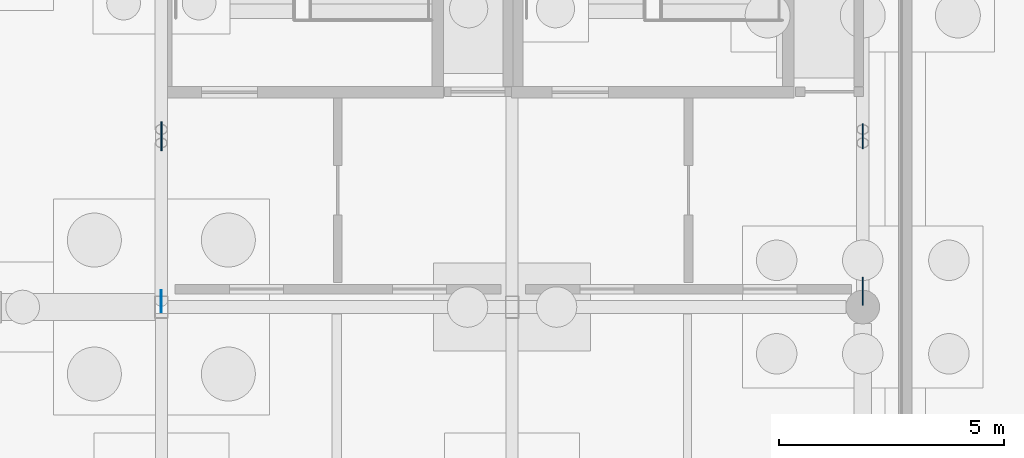
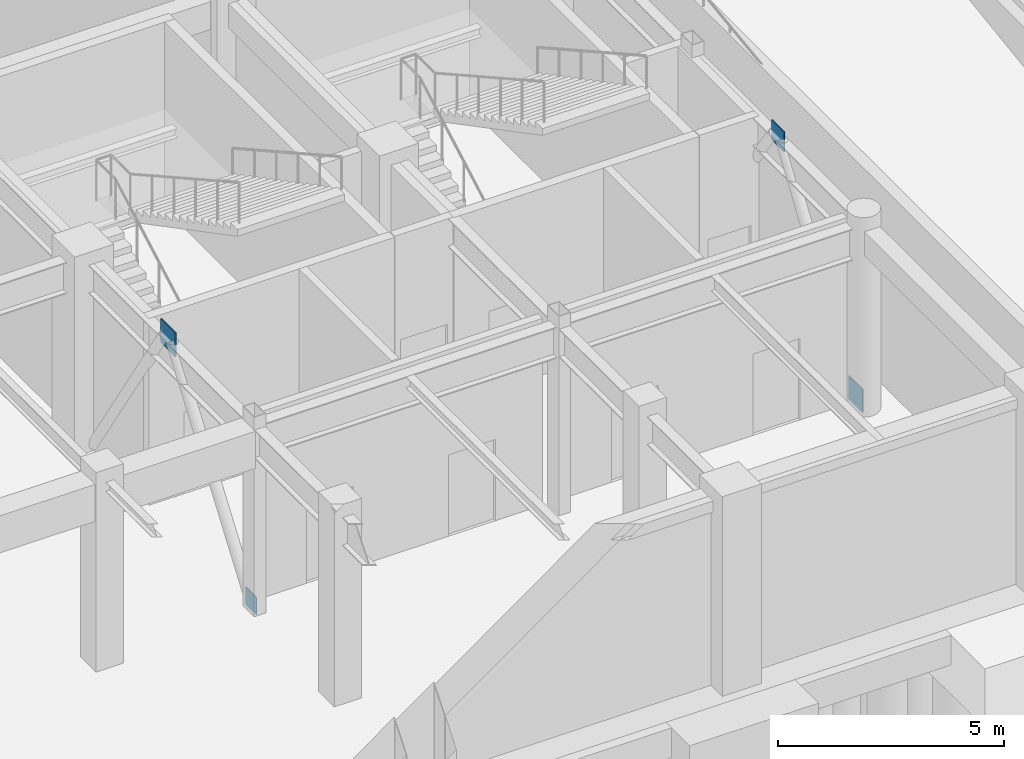
# One storey, part 38 of 52: 4 plates.
"""IFC4 building model written with IfcOpenShell, lengths in metres."""

from ifc_helpers import new_model, si_unit, direction, frame, origin, origin_2d, place, context, subcontext, project, spatial, rectangle, extrude, material, layer, layer_set, type_object, element, save


model = new_model("IFC4")

# Units and contexts
model_context = context("Model", 3, precision=1e-05, world=origin(), true_north=direction((0.0, 1.0)))
body_context = subcontext(model_context, "Body", "Model", "MODEL_VIEW")
ifc_project = project(units=[si_unit("LENGTHUNIT", "METRE"), si_unit("AREAUNIT", "SQUARE_METRE"), si_unit("VOLUMEUNIT", "CUBIC_METRE"), si_unit("PLANEANGLEUNIT", "RADIAN"), si_unit("MASSUNIT", "GRAM", prefix="KILO")], contexts=[model_context])

# Site, building, storey
site_placement = place(None, origin())
site = spatial("IfcSite", under=ifc_project, at=site_placement, CompositionType="ELEMENT")
building_placement = place(site_placement, origin())
building = spatial("IfcBuilding", under=site, at=building_placement, Name="Xicomal Pleat Aquarium", CompositionType="ELEMENT")
storey_placement = place(building_placement, frame((0.0, 0.0, -5.39990234375)))
storey = spatial("IfcBuildingStorey", under=building, at=storey_placement, Name="B1", CompositionType="ELEMENT", Elevation=-5.39990234375)

# Plates
ifc_material_1 = material(Name="Structural steel A992 Gr 50", Category="steel")
ifc_layer_1 = layer(ifc_material_1, 0.02001953125)
ifc_layer_set_1 = layer_set([ifc_layer_1], Name="Structural steel A992 Gr 50")
plate_type_1 = type_object("IfcPlateType", Name="PLT-CAP-20", PredefinedType="SHEET", material=ifc_layer_set_1)
plate_1_placement = place(storey_placement, frame((141.60009765625, 83.72998046875, -0.090087890625), z_axis=(0.0, 0.0, 1.0), x_axis=(0.0, 1.0, 0.0)))
element("IfcPlate", 1, at=plate_1_placement, inside=storey, type_object=plate_type_1, Name="B1 HSS end cap plate 26", PredefinedType="SHEET", context=body_context, shape_type="SweptSolid", body=[
    extrude(rectangle(XDim=0.47998046875, YDim=0.02001953125, at=origin_2d()), origin(), (0.0, 0.0, 1.0), 0.47998046875),
])
ifc_material_2 = material(Name="Structural steel A992 Gr 50", Category="steel")
ifc_layer_2 = layer(ifc_material_2, 0.030029296875)
ifc_layer_set_2 = layer_set([ifc_layer_2], Name="Structural steel A992 Gr 50")
plate_type_2 = type_object("IfcPlateType", Name="PLT-CAP-30", PredefinedType="SHEET", material=ifc_layer_set_2)
plate_2_placement = place(storey_placement, frame((157.199951171875, 83.955078125, -0.16015625), z_axis=(0.0, 0.0, 1.0), x_axis=(0.0, 1.0, 0.0)))
element("IfcPlate", 2, at=plate_2_placement, inside=storey, type_object=plate_type_2, Name="B1 HSS end cap plate 21", PredefinedType="SHEET", context=body_context, shape_type="SweptSolid", body=[
    extrude(rectangle(XDim=0.6201171875, YDim=0.030029296875, at=origin_2d()), origin(), (0.0, 0.0, 1.0), 0.6201171875),
])
ifc_material_3 = material(Name="Structural steel A992 Gr 50", Category="steel")
ifc_layer_3 = layer(ifc_material_3, 0.02490234375)
ifc_layer_set_3 = layer_set([ifc_layer_3], Name="Structural steel A992 Gr 50")
plate_type_3 = type_object("IfcPlateType", Name="PLT-GUS-25", PredefinedType="USERDEFINED", material=ifc_layer_set_3)
plate_3_placement = place(storey_placement, frame((157.199951171875, 87.39990234375, 4.77490234375), z_axis=(0.0, 0.0, 1.0), x_axis=(0.0, 1.0, 0.0)))
element("IfcPlate", 3, at=plate_3_placement, inside=storey, type_object=plate_type_3, Name="B1 chevron gusset node plate 21", ObjectType="GUSSET PLATE", PredefinedType="USERDEFINED", context=body_context, shape_type="SweptSolid", body=[
    extrude(rectangle(XDim=0.550048828125, YDim=0.02490234375, at=origin_2d()), origin(), (0.0, 0.0, 1.0), 0.550048828125),
])
ifc_material_4 = material(Name="Structural steel A992 Gr 50", Category="steel")
ifc_layer_4 = layer(ifc_material_4, 0.034912109375)
ifc_layer_set_4 = layer_set([ifc_layer_4], Name="Structural steel A992 Gr 50")
plate_type_4 = type_object("IfcPlateType", Name="PLT-GUS-35", PredefinedType="USERDEFINED", material=ifc_layer_set_4)
plate_4_placement = place(storey_placement, frame((141.60009765625, 87.39990234375, 4.724853515625), z_axis=(0.0, 0.0, 1.0), x_axis=(0.0, 1.0, 0.0)))
element("IfcPlate", 4, at=plate_4_placement, inside=storey, type_object=plate_type_4, Name="B1 chevron gusset node plate 26", ObjectType="GUSSET PLATE", PredefinedType="USERDEFINED", context=body_context, shape_type="SweptSolid", body=[
    extrude(rectangle(XDim=0.64990234375, YDim=0.034912109375, at=origin_2d()), origin(), (0.0, 0.0, 1.0), 0.64990234375),
])

save(model, "model.ifc")
